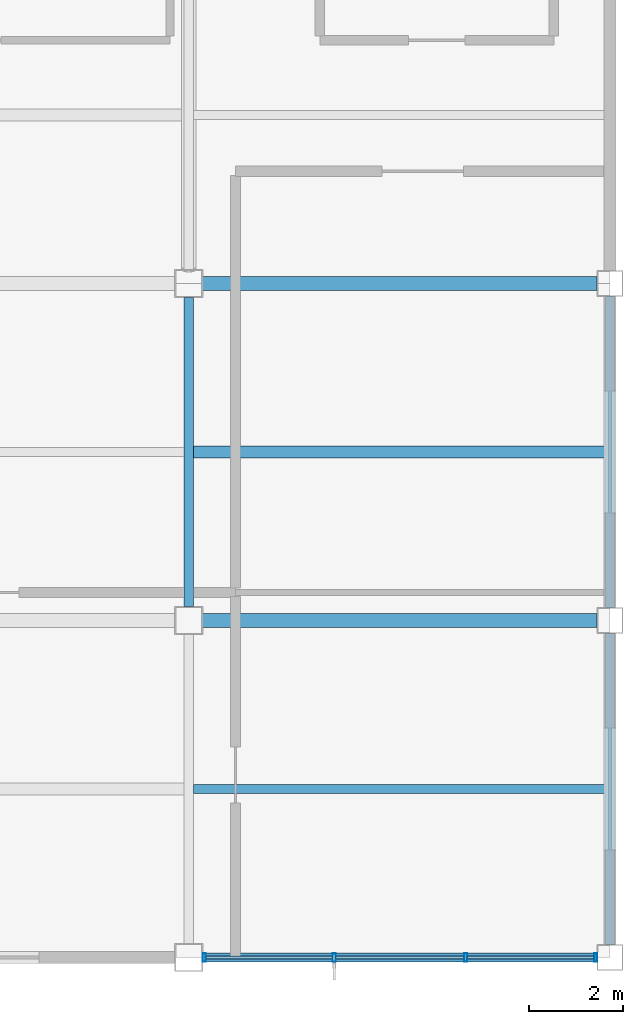
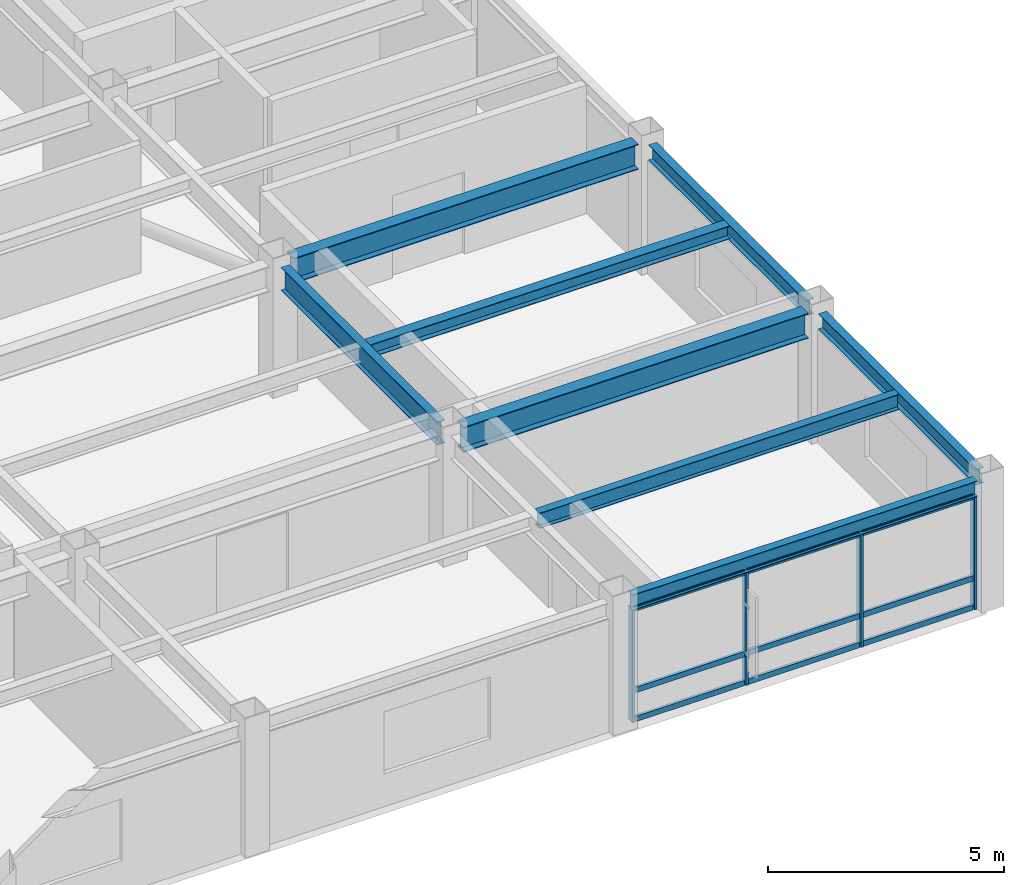
# One storey, part 4 of 11: 13 members, 8 beams, 1 element without a shape of its own.
"""IFC4 building model written with IfcOpenShell, lengths in metres."""

from ifc_helpers import new_model, si_unit, direction, frame, origin, origin_2d, place, context, subcontext, project, spatial, hollow_rectangle, i_section, extrude, material, material_profile, profile_set, type_object, element, aggregate, save


model = new_model("IFC4")

# Units and contexts
model_context = context("Model", 3, precision=1e-05, world=origin(), true_north=direction((0.0, 1.0)))
body_context = subcontext(model_context, "Body", "Model", "MODEL_VIEW")
ifc_project = project(units=[si_unit("LENGTHUNIT", "METRE"), si_unit("AREAUNIT", "SQUARE_METRE"), si_unit("VOLUMEUNIT", "CUBIC_METRE"), si_unit("PLANEANGLEUNIT", "RADIAN"), si_unit("MASSUNIT", "GRAM", prefix="KILO")], contexts=[model_context])

# Site, building, storey
site_placement = place(None, origin())
site = spatial("IfcSite", under=ifc_project, at=site_placement, CompositionType="ELEMENT")
building_placement = place(site_placement, origin())
building = spatial("IfcBuilding", under=site, at=building_placement, Name="Kazanami Central Library", CompositionType="ELEMENT")
storey_placement = place(building_placement, frame((0.0, 0.0, 24.199951171875)))
storey = spatial("IfcBuildingStorey", under=building, at=storey_placement, Name="L07", CompositionType="ELEMENT", Elevation=24.199951171875)

# Beams
ifc_material_1 = material(Name="Steel SN400B (235 MPa)", Category="steel")
ifc_material_profile_1 = material_profile(ifc_material_1, i_section(OverallWidth=0.199951171875, OverallDepth=0.39990234375, WebThickness=0.008056640625, FlangeThickness=0.012939453125, at=origin_2d()), Name="H-400x200x8x13")
ifc_profile_set_1 = profile_set([ifc_material_profile_1], Name="Steel SN400B (235 MPa)")
beam_type_1 = type_object("IfcBeamType", Name="BM-B-S1", PredefinedType="JOIST", material=ifc_profile_set_1)
beam_1_placement = place(storey_placement, frame((153.097900390625, 61.199951171875, 3.1201171875), z_axis=(1.0, 0.0, 0.0), x_axis=(0.0, 1.0, 0.0)))
element("IfcBeam", 1, at=beam_1_placement, inside=storey, type_object=beam_type_1, Name="Composite Secondary Joist B-S1 L07 Bay 18/J.1", PredefinedType="JOIST", context=body_context, shape_type="SweptSolid", body=[
    extrude(i_section(OverallWidth=0.199951171875, OverallDepth=0.39990234375, WebThickness=0.008056640625, FlangeThickness=0.012939453125, at=origin_2d()), origin(), (0.0, 0.0, 1.0), 8.80419921875),
])
ifc_material_profile_2 = material_profile(ifc_material_1, i_section(OverallWidth=0.25, OverallDepth=0.340087890625, WebThickness=0.009033203125, FlangeThickness=0.013916015625, at=origin_2d()), Name="H-340x250x9x14")
ifc_profile_set_2 = profile_set([ifc_material_profile_2], Name="Steel SN400B (235 MPa)")
beam_type_2 = type_object("IfcBeamType", Name="BM-B-S3", PredefinedType="JOIST", material=ifc_profile_set_2)
beam_2_placement = place(storey_placement, frame((153.097900390625, 68.39990234375, 3.150146484375), z_axis=(1.0, 0.0, 0.0), x_axis=(0.0, 1.0, 0.0)))
element("IfcBeam", 2, at=beam_2_placement, inside=storey, type_object=beam_type_2, Name="Composite Secondary Joist B-S3 L07 Bay 18/K.1", PredefinedType="JOIST", context=body_context, shape_type="SweptSolid", body=[
    extrude(i_section(OverallWidth=0.25, OverallDepth=0.340087890625, WebThickness=0.009033203125, FlangeThickness=0.013916015625, at=origin_2d()), origin(), (0.0, 0.0, 1.0), 8.80419921875),
])
ifc_material_2 = material(Name="Steel SN490B (325 MPa)", Category="steel")
ifc_material_profile_3 = material_profile(ifc_material_2, i_section(OverallWidth=0.300048828125, OverallDepth=0.64990234375, WebThickness=0.012939453125, FlangeThickness=0.02099609375, at=origin_2d()), Name="H-650x300x13x21")
ifc_profile_set_3 = profile_set([ifc_material_profile_3], Name="Steel SN490B (325 MPa)")
beam_type_3 = type_object("IfcBeamType", Name="BM-G-TR", PredefinedType="BEAM", material=ifc_profile_set_3)
for number, where, z_axis, x_axis, name in (
    (3, (153.298095703125, 64.800048828125, 2.9951171875), (1.0, 0.0, 0.0), (0.0, 1.0, 0.0), "Girder G-TR L07 K/18-19"),
    (4, (153.298095703125, 72.0, 2.9951171875), (1.0, 0.0, 0.0), (0.0, 1.0, 0.0), "Girder G-TR L07 L/18-19"),
):
    element("IfcBeam", number, at=place(storey_placement, frame(where, z_axis=z_axis, x_axis=x_axis)), inside=storey, type_object=beam_type_3, Name=name, PredefinedType="BEAM", context=body_context, shape_type="SweptSolid", body=[
        extrude(i_section(OverallWidth=0.300048828125, OverallDepth=0.64990234375, WebThickness=0.012939453125, FlangeThickness=0.02099609375, at=origin_2d()), origin(), (0.0, 0.0, 1.0), 8.428955078125),
    ])
ifc_material_profile_4 = material_profile(ifc_material_2, i_section(OverallWidth=0.199951171875, OverallDepth=0.60009765625, WebThickness=0.010986328125, FlangeThickness=0.01708984375, at=origin_2d()), Name="H-600x200x11x17")
ifc_profile_set_4 = profile_set([ifc_material_profile_4], Name="Steel SN490B (325 MPa)")
beam_type_4 = type_object("IfcBeamType", Name="BM-G-Y1", PredefinedType="BEAM", material=ifc_profile_set_4)
beam_3_placement = place(storey_placement, frame((153.0, 65.097900390625, 3.02001953125), z_axis=(0.0, 1.0, 0.0), x_axis=(-1.0, 0.0, 0.0)))
element("IfcBeam", 5, at=beam_3_placement, inside=storey, type_object=beam_type_4, Name="Girder G-Y1 L07 18/K-L", PredefinedType="BEAM", context=body_context, shape_type="SweptSolid", body=[
    extrude(i_section(OverallWidth=0.199951171875, OverallDepth=0.60009765625, WebThickness=0.010986328125, FlangeThickness=0.01708984375, at=origin_2d()), origin(), (0.0, 0.0, 1.0), 6.60400390625),
])
ifc_material_profile_5 = material_profile(ifc_material_2, i_section(OverallWidth=0.199951171875, OverallDepth=0.39990234375, WebThickness=0.008056640625, FlangeThickness=0.012939453125, at=origin_2d()), Name="H-400x200x8x13")
ifc_profile_set_5 = profile_set([ifc_material_profile_5], Name="Steel SN490B (325 MPa)")
beam_type_5 = type_object("IfcBeamType", Name="BM-SP-3", PredefinedType="SPANDREL", material=ifc_profile_set_5)
beam_4_placement = place(storey_placement, frame((153.298095703125, 57.60009765625, 3.1201171875), z_axis=(1.0, 0.0, 0.0), x_axis=(0.0, 1.0, 0.0)))
element("IfcBeam", 6, at=beam_4_placement, inside=storey, type_object=beam_type_5, Name="Girder SP-3 L07 J/18-19", PredefinedType="SPANDREL", context=body_context, shape_type="SweptSolid", body=[
    extrude(i_section(OverallWidth=0.199951171875, OverallDepth=0.39990234375, WebThickness=0.008056640625, FlangeThickness=0.012939453125, at=origin_2d()), origin(), (0.0, 0.0, 1.0), 8.428955078125),
])
for number, where, z_axis, x_axis, name in (
    (7, (162.0, 57.873046875, 3.1201171875), (0.0, 1.0, 0.0), (-1.0, 0.0, 0.0), "Girder SP-3 L07 19/J-K"),
    (8, (162.0, 65.072998046875, 3.1201171875), (0.0, 1.0, 0.0), (-1.0, 0.0, 0.0), "Girder SP-3 L07 19/K-L"),
):
    element("IfcBeam", number, at=place(storey_placement, frame(where, z_axis=z_axis, x_axis=x_axis)), inside=storey, type_object=beam_type_5, Name=name, PredefinedType="SPANDREL", context=body_context, shape_type="SweptSolid", body=[
        extrude(i_section(OverallWidth=0.199951171875, OverallDepth=0.39990234375, WebThickness=0.008056640625, FlangeThickness=0.012939453125, at=origin_2d()), origin(), (0.0, 0.0, 1.0), 6.654052734375),
    ])

# Curtain wall, members
ifc_material_3 = material(Name="Acid-Etched Low-E Laminated Glass", Category="glass")
curtain_wall_type = type_object("IfcCurtainWallType", Name="CW-8425x2920-M275", PredefinedType="USERDEFINED", material=ifc_material_3)
curtain_wall_placement = place(storey_placement, origin())
curtain_wall = element("IfcCurtainWall", 9, at=curtain_wall_placement, inside=storey, type_object=curtain_wall_type, Name="Unitised Curtain Wall CW-60 L07 S-J-17", ObjectType="UNITISED CURTAIN WALL", PredefinedType="USERDEFINED")
ifc_material_4 = material(Name="Anodised Aluminium A6063-T5", Category="aluminium")
ifc_material_profile_6 = material_profile(ifc_material_4, hollow_rectangle(XDim=0.06494140625, YDim=0.179931640625, WallThickness=0.00390625, at=origin_2d()), Name="ALU-MULL-65x180x4")
ifc_profile_set_6 = profile_set([ifc_material_profile_6], Name="Anodised Aluminium A6063-T5")
member_type_1 = type_object("IfcMemberType", Name="MEM-CW-M2", PredefinedType="MULLION", material=ifc_profile_set_6)
member_1_placement = place(storey_placement, frame((153.33251953125, 57.60009765625, 0.0), z_axis=(0.0, 0.0, 1.0), x_axis=(1.0, 0.0, 0.0)))
member_1 = element("IfcMember", 10, at=member_1_placement, type_object=member_type_1, Name="CW-60 mullion 1", PredefinedType="MULLION", context=body_context, shape_type="SweptSolid", body=[
    extrude(hollow_rectangle(XDim=0.06494140625, YDim=0.179931640625, WallThickness=0.00390625, at=origin_2d()), origin(), (0.0, 0.0, 1.0), 2.920166015625),
])
member_2_placement = place(storey_placement, frame((156.1083984375, 57.60009765625, 0.0), z_axis=(0.0, 0.0, 1.0), x_axis=(1.0, 0.0, 0.0)))
member_2 = element("IfcMember", 11, at=member_2_placement, type_object=member_type_1, Name="CW-60 mullion 2", PredefinedType="MULLION", context=body_context, shape_type="SweptSolid", body=[
    extrude(hollow_rectangle(XDim=0.06494140625, YDim=0.179931640625, WallThickness=0.00390625, at=origin_2d()), origin(), (0.0, 0.0, 1.0), 2.920166015625),
])
member_3_placement = place(storey_placement, frame((158.916748046875, 57.60009765625, 0.0), z_axis=(0.0, 0.0, 1.0), x_axis=(1.0, 0.0, 0.0)))
member_3 = element("IfcMember", 12, at=member_3_placement, type_object=member_type_1, Name="CW-60 mullion 3", PredefinedType="MULLION", context=body_context, shape_type="SweptSolid", body=[
    extrude(hollow_rectangle(XDim=0.06494140625, YDim=0.179931640625, WallThickness=0.00390625, at=origin_2d()), origin(), (0.0, 0.0, 1.0), 2.920166015625),
])
member_4_placement = place(storey_placement, frame((161.6923828125, 57.60009765625, 0.0), z_axis=(0.0, 0.0, 1.0), x_axis=(1.0, 0.0, 0.0)))
member_4 = element("IfcMember", 13, at=member_4_placement, type_object=member_type_1, Name="CW-60 mullion 4", PredefinedType="MULLION", context=body_context, shape_type="SweptSolid", body=[
    extrude(hollow_rectangle(XDim=0.06494140625, YDim=0.179931640625, WallThickness=0.00390625, at=origin_2d()), origin(), (0.0, 0.0, 1.0), 2.920166015625),
])
ifc_material_profile_7 = material_profile(ifc_material_4, hollow_rectangle(XDim=0.06494140625, YDim=0.139892578125, WallThickness=0.00390625, at=origin_2d()), Name="ALU-TRAN-65x140x4")
ifc_profile_set_7 = profile_set([ifc_material_profile_7], Name="Anodised Aluminium A6063-T5")
member_type_2 = type_object("IfcMemberType", Name="MEM-CW-T2", PredefinedType="USERDEFINED", material=ifc_profile_set_7)
member_5_placement = place(storey_placement, frame((153.364990234375, 57.60009765625, 0.032470703125), z_axis=(1.0, 0.0, 0.0), x_axis=(0.0, 1.0, 0.0)))
member_5 = element("IfcMember", 14, at=member_5_placement, type_object=member_type_2, Name="CW-60 transom 1.1", ObjectType="TRANSOM", PredefinedType="USERDEFINED", context=body_context, shape_type="SweptSolid", body=[
    extrude(hollow_rectangle(XDim=0.06494140625, YDim=0.139892578125, WallThickness=0.00390625, at=origin_2d()), origin(), (0.0, 0.0, 1.0), 2.7109375),
])
member_6_placement = place(storey_placement, frame((153.364990234375, 57.60009765625, 0.780029296875), z_axis=(1.0, 0.0, 0.0), x_axis=(0.0, 1.0, 0.0)))
member_6 = element("IfcMember", 15, at=member_6_placement, type_object=member_type_2, Name="CW-60 transom 1.2", ObjectType="TRANSOM", PredefinedType="USERDEFINED", context=body_context, shape_type="SweptSolid", body=[
    extrude(hollow_rectangle(XDim=0.06494140625, YDim=0.139892578125, WallThickness=0.00390625, at=origin_2d()), origin(), (0.0, 0.0, 1.0), 2.7109375),
])
member_7_placement = place(storey_placement, frame((153.364990234375, 57.60009765625, 2.887451171875), z_axis=(1.0, 0.0, 0.0), x_axis=(0.0, 1.0, 0.0)))
member_7 = element("IfcMember", 16, at=member_7_placement, type_object=member_type_2, Name="CW-60 transom 1.3", ObjectType="TRANSOM", PredefinedType="USERDEFINED", context=body_context, shape_type="SweptSolid", body=[
    extrude(hollow_rectangle(XDim=0.06494140625, YDim=0.139892578125, WallThickness=0.00390625, at=origin_2d()), origin(), (0.0, 0.0, 1.0), 2.7109375),
])
member_8_placement = place(storey_placement, frame((156.140869140625, 57.60009765625, 0.032470703125), z_axis=(1.0, 0.0, 0.0), x_axis=(0.0, 1.0, 0.0)))
member_8 = element("IfcMember", 17, at=member_8_placement, type_object=member_type_2, Name="CW-60 transom 2.1", ObjectType="TRANSOM", PredefinedType="USERDEFINED", context=body_context, shape_type="SweptSolid", body=[
    extrude(hollow_rectangle(XDim=0.06494140625, YDim=0.139892578125, WallThickness=0.00390625, at=origin_2d()), origin(), (0.0, 0.0, 1.0), 2.743408203125),
])
member_9_placement = place(storey_placement, frame((156.140869140625, 57.60009765625, 0.780029296875), z_axis=(1.0, 0.0, 0.0), x_axis=(0.0, 1.0, 0.0)))
member_9 = element("IfcMember", 18, at=member_9_placement, type_object=member_type_2, Name="CW-60 transom 2.2", ObjectType="TRANSOM", PredefinedType="USERDEFINED", context=body_context, shape_type="SweptSolid", body=[
    extrude(hollow_rectangle(XDim=0.06494140625, YDim=0.139892578125, WallThickness=0.00390625, at=origin_2d()), origin(), (0.0, 0.0, 1.0), 2.743408203125),
])
member_10_placement = place(storey_placement, frame((156.140869140625, 57.60009765625, 2.887451171875), z_axis=(1.0, 0.0, 0.0), x_axis=(0.0, 1.0, 0.0)))
member_10 = element("IfcMember", 19, at=member_10_placement, type_object=member_type_2, Name="CW-60 transom 2.3", ObjectType="TRANSOM", PredefinedType="USERDEFINED", context=body_context, shape_type="SweptSolid", body=[
    extrude(hollow_rectangle(XDim=0.06494140625, YDim=0.139892578125, WallThickness=0.00390625, at=origin_2d()), origin(), (0.0, 0.0, 1.0), 2.743408203125),
])
member_11_placement = place(storey_placement, frame((158.94921875, 57.60009765625, 0.032470703125), z_axis=(1.0, 0.0, 0.0), x_axis=(0.0, 1.0, 0.0)))
member_11 = element("IfcMember", 20, at=member_11_placement, type_object=member_type_2, Name="CW-60 transom 3.1", ObjectType="TRANSOM", PredefinedType="USERDEFINED", context=body_context, shape_type="SweptSolid", body=[
    extrude(hollow_rectangle(XDim=0.06494140625, YDim=0.139892578125, WallThickness=0.00390625, at=origin_2d()), origin(), (0.0, 0.0, 1.0), 2.710693359375),
])
member_12_placement = place(storey_placement, frame((158.94921875, 57.60009765625, 0.780029296875), z_axis=(1.0, 0.0, 0.0), x_axis=(0.0, 1.0, 0.0)))
member_12 = element("IfcMember", 21, at=member_12_placement, type_object=member_type_2, Name="CW-60 transom 3.2", ObjectType="TRANSOM", PredefinedType="USERDEFINED", context=body_context, shape_type="SweptSolid", body=[
    extrude(hollow_rectangle(XDim=0.06494140625, YDim=0.139892578125, WallThickness=0.00390625, at=origin_2d()), origin(), (0.0, 0.0, 1.0), 2.710693359375),
])
member_13_placement = place(storey_placement, frame((158.94921875, 57.60009765625, 2.887451171875), z_axis=(1.0, 0.0, 0.0), x_axis=(0.0, 1.0, 0.0)))
member_13 = element("IfcMember", 22, at=member_13_placement, type_object=member_type_2, Name="CW-60 transom 3.3", ObjectType="TRANSOM", PredefinedType="USERDEFINED", context=body_context, shape_type="SweptSolid", body=[
    extrude(hollow_rectangle(XDim=0.06494140625, YDim=0.139892578125, WallThickness=0.00390625, at=origin_2d()), origin(), (0.0, 0.0, 1.0), 2.710693359375),
])
aggregate(curtain_wall, [member_1, member_2, member_3, member_4, member_5, member_6, member_7, member_8, member_9, member_10, member_11, member_12, member_13])

save(model, "model.ifc")
